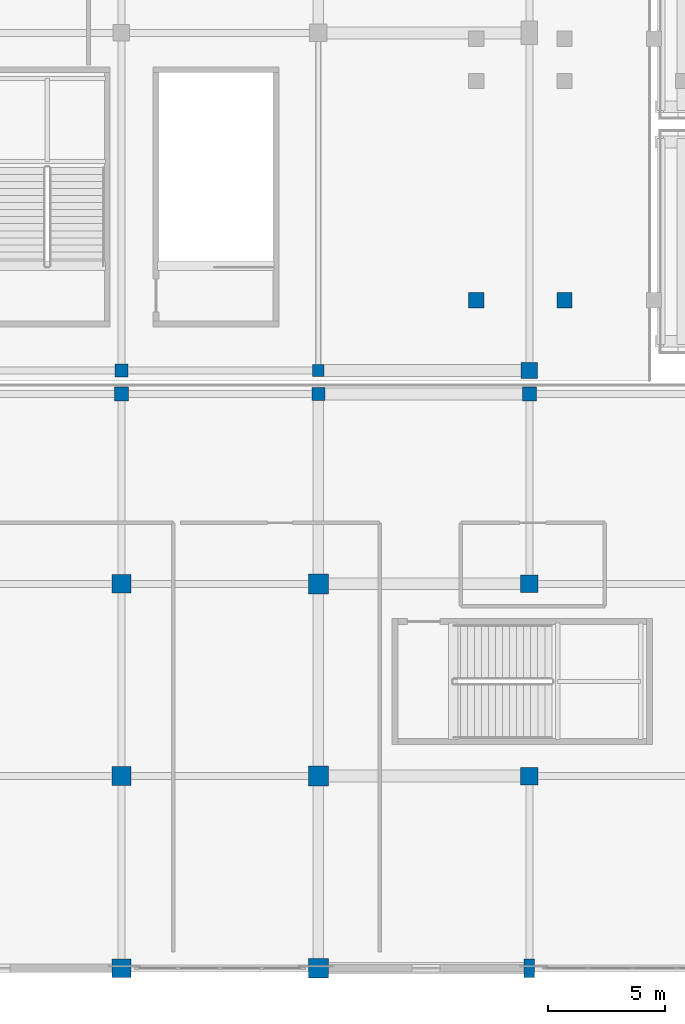
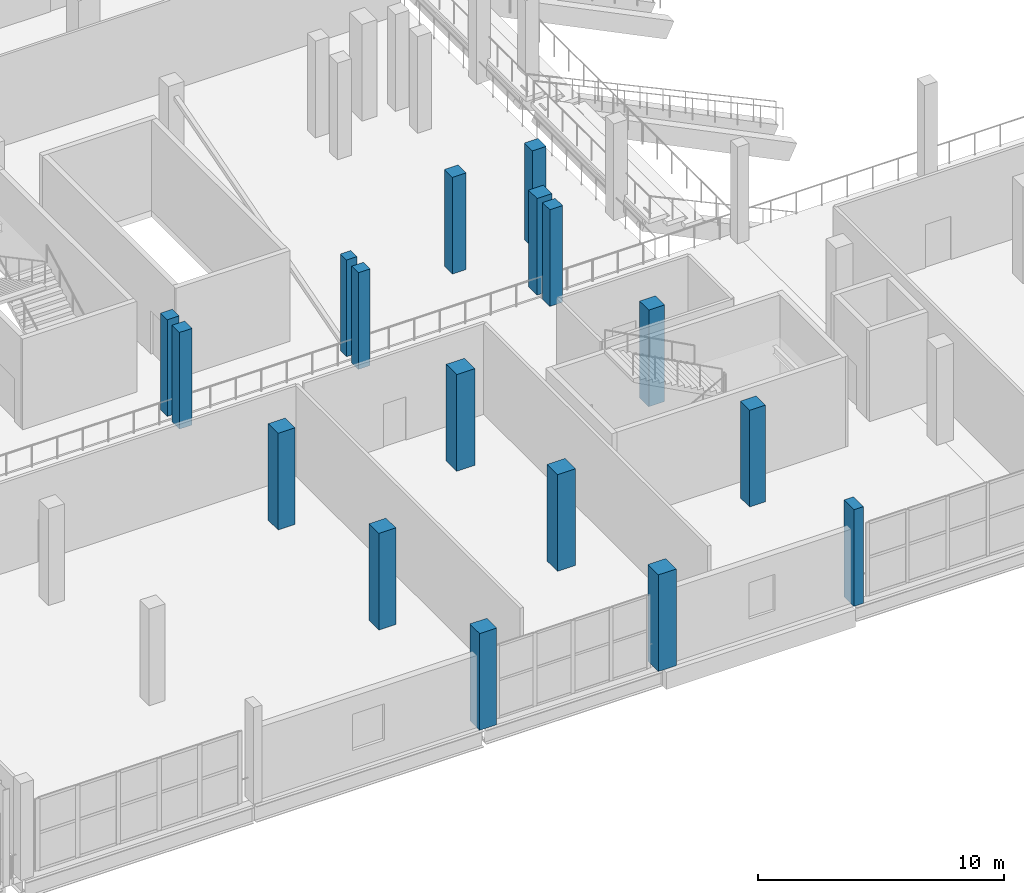
# One storey, part 2 of 129: 17 columns.
"""IFC4 building model written with IfcOpenShell, lengths in metres."""

from ifc_helpers import new_model, si_unit, direction, frame, origin, origin_2d, place, context, subcontext, project, spatial, rectangle, extrude, material, material_profile, profile_set, type_object, element, save


model = new_model("IFC4")

# Units and contexts
model_context = context("Model", 3, precision=1e-05, world=origin(), true_north=direction((0.0, 1.0)))
body_context = subcontext(model_context, "Body", "Model", "MODEL_VIEW")
ifc_project = project(units=[si_unit("LENGTHUNIT", "METRE"), si_unit("AREAUNIT", "SQUARE_METRE"), si_unit("VOLUMEUNIT", "CUBIC_METRE"), si_unit("PLANEANGLEUNIT", "RADIAN"), si_unit("MASSUNIT", "GRAM", prefix="KILO")], contexts=[model_context])

# Site, building, storey
site_placement = place(None, origin())
site = spatial("IfcSite", under=ifc_project, at=site_placement, CompositionType="ELEMENT")
building_placement = place(site_placement, origin())
building = spatial("IfcBuilding", under=site, at=building_placement, Name="Koshinbarg Plaza Stadium", CompositionType="ELEMENT")
storey_placement = place(building_placement, frame((0.0, 0.0, 5.39990234375)))
storey = spatial("IfcBuildingStorey", under=building, at=storey_placement, Name="L01", CompositionType="ELEMENT", Elevation=5.39990234375)

# Columns
ifc_material = material(Name="Concrete C40/50", Category="concrete")
ifc_material_profile_1 = material_profile(ifc_material, rectangle(XDim=0.449951171875, YDim=0.800048828125, at=origin_2d()), Name="PIL 450x800")
ifc_profile_set_1 = profile_set([ifc_material_profile_1], Name="Concrete C40/50")
column_type_1 = type_object("IfcColumnType", Name="COL-PIL-02", PredefinedType="PILASTER", material=ifc_profile_set_1)
column_1_placement = place(storey_placement, frame((63.60009765625, 0.0, 0.0), z_axis=(0.0, 0.0, 1.0), x_axis=(1.0, 0.0, 0.0)))
element("IfcColumn", 1, at=column_1_placement, inside=storey, type_object=column_type_1, Name="L01 column 9/A", PredefinedType="PILASTER", context=body_context, shape_type="SweptSolid", body=[
    extrude(rectangle(XDim=0.449951171875, YDim=0.800048828125, at=origin_2d()), origin(), (0.0, 0.0, 1.0), 4.800048828125),
])
ifc_material_profile_2 = material_profile(ifc_material, rectangle(XDim=0.5, YDim=0.5, at=origin_2d()), Name="RC 500x500")
ifc_profile_set_2 = profile_set([ifc_material_profile_2], Name="Concrete C40/50")
column_type_2 = type_object("IfcColumnType", Name="COL-RC-02", PredefinedType="COLUMN", material=ifc_profile_set_2)
column_2_placement = place(storey_placement, frame((54.60009765625, 25.5, 0.0), z_axis=(0.0, 0.0, 1.0), x_axis=(1.0, 0.0, 0.0)))
element("IfcColumn", 2, at=column_2_placement, inside=storey, type_object=column_type_2, Name="L01 column 8/E", PredefinedType="COLUMN", context=body_context, shape_type="SweptSolid", body=[
    extrude(rectangle(XDim=0.5, YDim=0.5, at=origin_2d()), origin(), (0.0, 0.0, 1.0), 4.800048828125),
])
ifc_material_profile_3 = material_profile(ifc_material, rectangle(XDim=0.550048828125, YDim=0.550048828125, at=origin_2d()), Name="RC 550x550")
ifc_profile_set_3 = profile_set([ifc_material_profile_3], Name="Concrete C40/50")
column_type_3 = type_object("IfcColumnType", Name="COL-RC-03", PredefinedType="COLUMN", material=ifc_profile_set_3)
for number, where, z_axis, x_axis, name in (
    (3, (46.199951171875, 25.5, 0.0), (0.0, 0.0, 1.0), (1.0, 0.0, 0.0), "L01 column 7/E"),
    (4, (54.60009765625, 24.5, 0.0), (0.0, 0.0, 1.0), (1.0, 0.0, 0.0), "L01 column 8/D"),
):
    element("IfcColumn", number, at=place(storey_placement, frame(where, z_axis=z_axis, x_axis=x_axis)), inside=storey, type_object=column_type_3, Name=name, PredefinedType="COLUMN", context=body_context, shape_type="SweptSolid", body=[
        extrude(rectangle(XDim=0.550048828125, YDim=0.550048828125, at=origin_2d()), origin(), (0.0, 0.0, 1.0), 4.800048828125),
    ])
ifc_material_profile_4 = material_profile(ifc_material, rectangle(XDim=0.60009765625, YDim=0.60009765625, at=origin_2d()), Name="RC 600x600")
ifc_profile_set_4 = profile_set([ifc_material_profile_4], Name="Concrete C40/50")
column_type_4 = type_object("IfcColumnType", Name="COL-RC-04", PredefinedType="COLUMN", material=ifc_profile_set_4)
for number, where, z_axis, x_axis, name in (
    (5, (46.199951171875, 24.5, 0.0), (0.0, 0.0, 1.0), (1.0, 0.0, 0.0), "L01 column 7/D"),
    (6, (63.60009765625, 24.5, 0.0), (0.0, 0.0, 1.0), (1.0, 0.0, 0.0), "L01 column 9/D"),
):
    element("IfcColumn", number, at=place(storey_placement, frame(where, z_axis=z_axis, x_axis=x_axis)), inside=storey, type_object=column_type_4, Name=name, PredefinedType="COLUMN", context=body_context, shape_type="SweptSolid", body=[
        extrude(rectangle(XDim=0.60009765625, YDim=0.60009765625, at=origin_2d()), origin(), (0.0, 0.0, 1.0), 4.800048828125),
    ])
ifc_material_profile_5 = material_profile(ifc_material, rectangle(XDim=0.64990234375, YDim=0.64990234375, at=origin_2d()), Name="RC 650x650")
ifc_profile_set_5 = profile_set([ifc_material_profile_5], Name="Concrete C40/50")
column_type_5 = type_object("IfcColumnType", Name="COL-RC-05", PredefinedType="COLUMN", material=ifc_profile_set_5)
for number, where, z_axis, x_axis, name in (
    (7, (65.10009765625, 28.5, 0.0), (0.0, 0.0, 1.0), (1.0, 0.0, 0.0), "L01 bowl raker column UT-W01-L-CM"),
    (8, (61.340087890625, 28.5, 0.0), (0.0, 0.0, 1.0), (1.0, 0.0, 0.0), "L01 bowl raker column UT-W01-L-CB"),
):
    element("IfcColumn", number, at=place(storey_placement, frame(where, z_axis=z_axis, x_axis=x_axis)), inside=storey, type_object=column_type_5, Name=name, PredefinedType="COLUMN", context=body_context, shape_type="SweptSolid", body=[
        extrude(rectangle(XDim=0.64990234375, YDim=0.64990234375, at=origin_2d()), origin(), (0.0, 0.0, 1.0), 4.800048828125),
    ])
ifc_material_profile_6 = material_profile(ifc_material, rectangle(XDim=0.699951171875, YDim=0.699951171875, at=origin_2d()), Name="RC 700x700")
ifc_profile_set_6 = profile_set([ifc_material_profile_6], Name="Concrete C40/50")
column_type_6 = type_object("IfcColumnType", Name="COL-RC-06", PredefinedType="COLUMN", material=ifc_profile_set_6)
column_3_placement = place(storey_placement, frame((63.60009765625, 25.5, 0.0), z_axis=(0.0, 0.0, 1.0), x_axis=(1.0, 0.0, 0.0)))
element("IfcColumn", 9, at=column_3_placement, inside=storey, type_object=column_type_6, Name="L01 column 9/E", PredefinedType="COLUMN", context=body_context, shape_type="SweptSolid", body=[
    extrude(rectangle(XDim=0.699951171875, YDim=0.699951171875, at=origin_2d()), origin(), (0.0, 0.0, 1.0), 4.800048828125),
])
ifc_material_profile_7 = material_profile(ifc_material, rectangle(XDim=0.75, YDim=0.75, at=origin_2d()), Name="RC 750x750")
ifc_profile_set_7 = profile_set([ifc_material_profile_7], Name="Concrete C40/50")
column_type_7 = type_object("IfcColumnType", Name="COL-RC-07", PredefinedType="COLUMN", material=ifc_profile_set_7)
for number, where, z_axis, x_axis, name in (
    (10, (63.60009765625, 8.199951171875, 0.0), (0.0, 0.0, 1.0), (1.0, 0.0, 0.0), "L01 column 9/B"),
    (11, (63.60009765625, 16.39990234375, 0.0), (0.0, 0.0, 1.0), (1.0, 0.0, 0.0), "L01 column 9/C"),
):
    element("IfcColumn", number, at=place(storey_placement, frame(where, z_axis=z_axis, x_axis=x_axis)), inside=storey, type_object=column_type_7, Name=name, PredefinedType="COLUMN", context=body_context, shape_type="SweptSolid", body=[
        extrude(rectangle(XDim=0.75, YDim=0.75, at=origin_2d()), origin(), (0.0, 0.0, 1.0), 4.800048828125),
    ])
ifc_material_profile_8 = material_profile(ifc_material, rectangle(XDim=0.800048828125, YDim=0.800048828125, at=origin_2d()), Name="RC 800x800")
ifc_profile_set_8 = profile_set([ifc_material_profile_8], Name="Concrete C40/50")
column_type_8 = type_object("IfcColumnType", Name="COL-RC-08", PredefinedType="COLUMN", material=ifc_profile_set_8)
for number, where, z_axis, x_axis, name in (
    (12, (46.199951171875, 0.0, 0.0), (0.0, 0.0, 1.0), (1.0, 0.0, 0.0), "L01 column 7/A"),
    (13, (46.199951171875, 8.199951171875, 0.0), (0.0, 0.0, 1.0), (1.0, 0.0, 0.0), "L01 column 7/B"),
    (14, (46.199951171875, 16.39990234375, 0.0), (0.0, 0.0, 1.0), (1.0, 0.0, 0.0), "L01 column 7/C"),
):
    element("IfcColumn", number, at=place(storey_placement, frame(where, z_axis=z_axis, x_axis=x_axis)), inside=storey, type_object=column_type_8, Name=name, PredefinedType="COLUMN", context=body_context, shape_type="SweptSolid", body=[
        extrude(rectangle(XDim=0.800048828125, YDim=0.800048828125, at=origin_2d()), origin(), (0.0, 0.0, 1.0), 4.800048828125),
    ])
ifc_material_profile_9 = material_profile(ifc_material, rectangle(XDim=0.85009765625, YDim=0.85009765625, at=origin_2d()), Name="RC 850x850")
ifc_profile_set_9 = profile_set([ifc_material_profile_9], Name="Concrete C40/50")
column_type_9 = type_object("IfcColumnType", Name="COL-RC-09", PredefinedType="COLUMN", material=ifc_profile_set_9)
for number, where, z_axis, x_axis, name in (
    (15, (54.60009765625, 0.0, 0.0), (0.0, 0.0, 1.0), (1.0, 0.0, 0.0), "L01 column 8/A"),
    (16, (54.60009765625, 8.199951171875, 0.0), (0.0, 0.0, 1.0), (1.0, 0.0, 0.0), "L01 column 8/B"),
    (17, (54.60009765625, 16.39990234375, 0.0), (0.0, 0.0, 1.0), (1.0, 0.0, 0.0), "L01 column 8/C"),
):
    element("IfcColumn", number, at=place(storey_placement, frame(where, z_axis=z_axis, x_axis=x_axis)), inside=storey, type_object=column_type_9, Name=name, PredefinedType="COLUMN", context=body_context, shape_type="SweptSolid", body=[
        extrude(rectangle(XDim=0.85009765625, YDim=0.85009765625, at=origin_2d()), origin(), (0.0, 0.0, 1.0), 4.800048828125),
    ])

save(model, "model.ifc")
